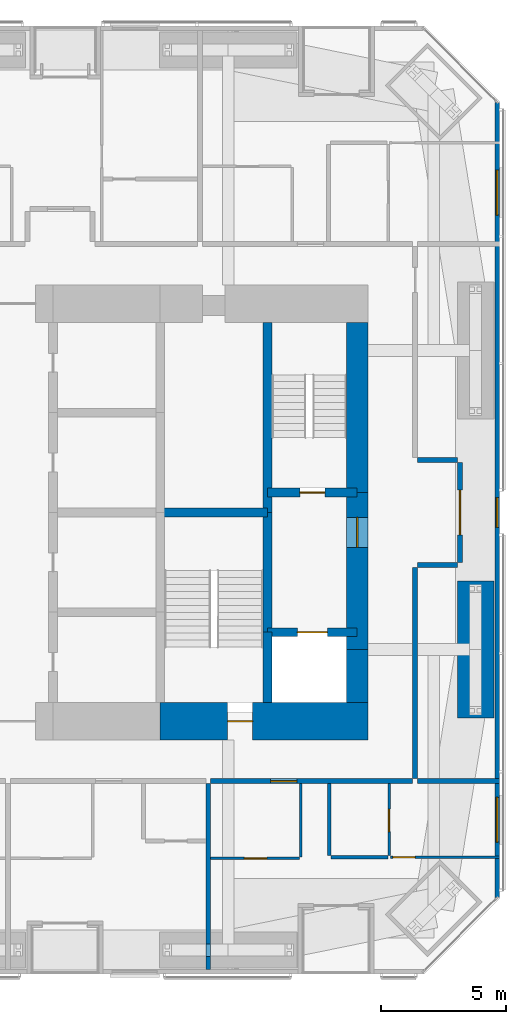
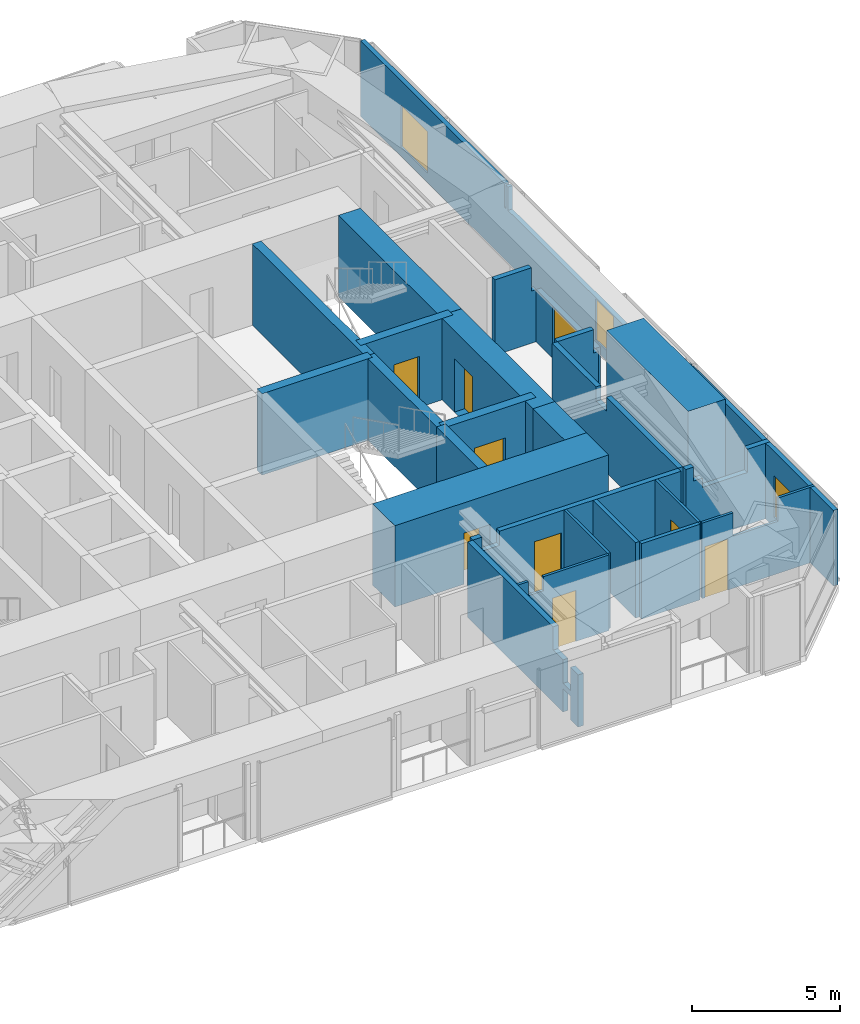
# One storey, part 20 of 23: 25 walls, 9 doors, 3 windows, 12 openings.
"""IFC4 building model written with IfcOpenShell, lengths in metres."""

from ifc_helpers import new_model, si_unit, direction, frame, frame_2d, origin, place, context, subcontext, project, spatial, polyline, rectangle, outline, extrude, material, layer, layer_set, constituent, constituent_set, type_object, element, fill, save


model = new_model("IFC4")

# Units and contexts
model_context = context("Model", 3, precision=1e-05, world=origin(), true_north=direction((0.0, 1.0)))
body_context = subcontext(model_context, "Body", "Model", "MODEL_VIEW")
ifc_project = project(units=[si_unit("LENGTHUNIT", "METRE"), si_unit("AREAUNIT", "SQUARE_METRE"), si_unit("VOLUMEUNIT", "CUBIC_METRE"), si_unit("PLANEANGLEUNIT", "RADIAN"), si_unit("MASSUNIT", "GRAM", prefix="KILO")], contexts=[model_context])

# Site, building, storey
site_placement = place(None, origin())
site = spatial("IfcSite", under=ifc_project, at=site_placement, CompositionType="ELEMENT")
building_placement = place(site_placement, origin())
building = spatial("IfcBuilding", under=site, at=building_placement, Name="Jalousie Tower", CompositionType="ELEMENT")
storey_placement = place(building_placement, frame((0.0, 0.0, 88.10009765625)))
storey = spatial("IfcBuildingStorey", under=building, at=storey_placement, Name="L23", CompositionType="ELEMENT", Elevation=88.10009765625)

# Walls
ifc_material_1 = material(Name="Concrete block ASTM C90", Category="concrete")
ifc_constituent_1 = constituent(ifc_material_1, Name="Body")
ifc_material_2 = material(Name="Render")
ifc_constituent_2 = constituent(ifc_material_2, Name="Finish")
ifc_constituent_set_1 = constituent_set(constituents=[ifc_constituent_1, ifc_constituent_2])
wall_type_1 = type_object("IfcWallType", Name="BATHROOM WALL 150", PredefinedType="PLUMBINGWALL", material=ifc_constituent_set_1)
wall_1_placement = place(storey_placement, frame((42.75, 4.67578125, 0.0), z_axis=(0.0, 0.0, 1.0), x_axis=(1.0, 0.0, 0.0)))
element("IfcWall", 1, at=wall_1_placement, inside=storey, type_object=wall_type_1, Name="Bathroom Wall 150 L23", PredefinedType="PLUMBINGWALL", context=body_context, shape_type="SweptSolid", body=[
    extrude(rectangle(XDim=2.27490234375, YDim=0.14990234375, at=frame_2d((1.137451171875, 0.0))), origin(), (0.0, 0.0, 1.0), 3.10986328125),
])
wall_2_placement = place(storey_placement, frame((42.675048828125, 4.7509765625, 0.0), z_axis=(0.0, 0.0, 1.0), x_axis=(0.0, 1.0, 0.0)))
element("IfcWall", 2, at=wall_2_placement, inside=storey, type_object=wall_type_1, Name="Bathroom Wall 150 L23", PredefinedType="PLUMBINGWALL", context=body_context, shape_type="SweptSolid", body=[
    extrude(rectangle(XDim=2.8740234375, YDim=0.14990234375, at=frame_2d((1.43701171875, 0.0))), origin(), (0.0, 0.0, 1.0), 3.10986328125),
])

# Wall, opening, door
ifc_material_3 = material(Name="Concrete f'c 120 MPa", Category="concrete")
ifc_layer_1 = layer(ifc_material_3, 1.5)
ifc_layer_set_1 = layer_set([ifc_layer_1], Name="Concrete f'c 120 MPa")
wall_type_2 = type_object("IfcWallType", Name="CORE WALL 1500", PredefinedType="SHEAR", material=ifc_layer_set_1)
wall_3_placement = place(storey_placement, frame((35.89990234375, 10.125, 0.0), z_axis=(0.0, 0.0, 1.0), x_axis=(1.0, 0.0, 0.0)))
wall_3 = element("IfcWall", 3, at=wall_3_placement, inside=storey, type_object=wall_type_2, Name="Core wall SD L23", PredefinedType="SHEAR", context=body_context, shape_type="SweptSolid", body=[
    extrude(rectangle(XDim=8.3251953125, YDim=1.5, at=frame_2d((4.16259765625, 0.0))), origin(), (0.0, 0.0, 1.0), 3.349853515625),
])
opening_1_placement = place(wall_3_placement, frame((2.699951171875, 0.0, 0.0)))
opening_1 = element("IfcOpeningElement", 4, at=opening_1_placement, cuts=wall_3, Name="Opening D10", PredefinedType="OPENING", context=body_context, shape_type="SweptSolid", body=[
    extrude(rectangle(XDim=1.0, YDim=2.10009765625, at=frame_2d((0.5, 1.050048828125))), frame((0.0, 0.760009765625, 0.0), z_axis=(0.0, -1.0, 0.0), x_axis=(1.0, 0.0, 0.0)), (0.0, 0.0, 1.0), 1.52001953125),
])
ifc_material_4 = material(Name="Steel fire door", Category="steel")
door_type_1 = type_object("IfcDoorType", Name="STAIR DOOR 1000", OperationType="SINGLE_SWING_LEFT", PredefinedType="DOOR", material=ifc_material_4)
door_1_placement = place(opening_1_placement, origin())
door_1 = element("IfcDoor", 5, at=door_1_placement, inside=storey, type_object=door_type_1, Name="Exit stair C door", OperationType="SINGLE_SWING_RIGHT", OverallHeight=2.10009765625, OverallWidth=1.0, PredefinedType="DOOR", context=body_context, shape_type="SweptSolid", body=[
    extrude(rectangle(XDim=1.0, YDim=2.10009765625, at=frame_2d((0.5, 1.050048828125))), frame((0.0, 0.02490234375, 0.0), z_axis=(0.0, -1.0, 0.0), x_axis=(1.0, 0.0, 0.0)), (0.0, 0.0, 1.0), 0.050048828125),
])
fill(opening_1, door_1)

# Walls
ifc_material_5 = material(Name="Concrete f'c 120 MPa", Category="concrete")
ifc_layer_2 = layer(ifc_material_5, 0.35009765625)
ifc_layer_set_2 = layer_set([ifc_layer_2], Name="Concrete f'c 120 MPa")
wall_type_3 = type_object("IfcWallType", Name="CORE WALL 350", PredefinedType="SHEAR", material=ifc_layer_set_2)
wall_4_placement = place(storey_placement, frame((40.199951171875, 10.875, 0.0), z_axis=(0.0, 0.0, 1.0), x_axis=(0.0, 1.0, 0.0)))
element("IfcWall", 6, at=wall_4_placement, inside=storey, type_object=wall_type_3, Name="Core wall X40.2A L23", PredefinedType="SHEAR", context=body_context, shape_type="SweptSolid", body=[
    extrude(rectangle(XDim=2.824951171875, YDim=0.35009765625, at=frame_2d((1.41259765625, 0.0))), origin(), (0.0, 0.0, 1.0), 3.349853515625),
])
wall_5_placement = place(storey_placement, frame((40.199951171875, 13.699951171875, 0.0), z_axis=(0.0, 0.0, 1.0), x_axis=(0.0, 1.0, 0.0)))
element("IfcWall", 7, at=wall_5_placement, inside=storey, type_object=wall_type_3, Name="Core wall X40.2B L23", PredefinedType="SHEAR", context=body_context, shape_type="SweptSolid", body=[
    extrude(rectangle(XDim=4.800048828125, YDim=0.35009765625, at=frame_2d((2.39990234375, 0.0))), origin(), (0.0, 0.0, 1.0), 3.349853515625),
])
wall_6_placement = place(storey_placement, frame((40.199951171875, 18.5, 0.0), z_axis=(0.0, 0.0, 1.0), x_axis=(0.0, 1.0, 0.0)))
element("IfcWall", 8, at=wall_6_placement, inside=storey, type_object=wall_type_3, Name="Core wall X40.2C L23", PredefinedType="SHEAR", context=body_context, shape_type="SweptSolid", body=[
    extrude(rectangle(XDim=7.625, YDim=0.35009765625, at=frame_2d((3.8125, 0.0))), origin(), (0.0, 0.0, 1.0), 3.349853515625),
])
wall_7_placement = place(storey_placement, frame((35.89990234375, 18.5, 0.0), z_axis=(0.0, 0.0, 1.0), x_axis=(1.0, 0.0, 0.0)))
element("IfcWall", 9, at=wall_7_placement, inside=storey, type_object=wall_type_3, Name="Core wall Y35.9-18.5 L23", PredefinedType="SHEAR", context=body_context, shape_type="SweptSolid", body=[
    extrude(rectangle(XDim=4.300048828125, YDim=0.35009765625, at=frame_2d((2.14990234375, 0.0))), origin(), (0.0, 0.0, 1.0), 3.349853515625),
])

# Wall, opening, door
wall_8_placement = place(storey_placement, frame((40.199951171875, 13.699951171875, 0.0), z_axis=(0.0, 0.0, 1.0), x_axis=(1.0, 0.0, 0.0)))
wall_8 = element("IfcWall", 10, at=wall_8_placement, inside=storey, type_object=wall_type_3, Name="Core wall Y40.2-13.7 L23", PredefinedType="SHEAR", context=body_context, shape_type="SweptSolid", body=[
    extrude(rectangle(XDim=3.60009765625, YDim=0.35009765625, at=frame_2d((1.800048828125, 0.0))), origin(), (0.0, 0.0, 1.0), 3.349853515625),
])
opening_2_placement = place(wall_8_placement, frame((1.199951171875, 0.0, 0.0)))
opening_2 = element("IfcOpeningElement", 11, at=opening_2_placement, cuts=wall_8, Name="Opening LD2", PredefinedType="OPENING", context=body_context, shape_type="SweptSolid", body=[
    extrude(rectangle(XDim=1.199951171875, YDim=2.10009765625, at=frame_2d((0.60009765625, 1.050048828125))), frame((0.0, 0.18505859375, 0.0), z_axis=(0.0, -1.0, 0.0), x_axis=(1.0, 0.0, 0.0)), (0.0, 0.0, 1.0), 0.3701171875),
])
ifc_material_6 = material(Name="Steel lift landing door", Category="steel")
door_type_2 = type_object("IfcDoorType", Name="LIFT LANDING DOOR 1200", OperationType="SLIDING_TO_LEFT", PredefinedType="DOOR", material=ifc_material_6)
door_2_placement = place(opening_2_placement, origin())
door_2 = element("IfcDoor", 12, at=door_2_placement, inside=storey, type_object=door_type_2, Name="Lift F2 landing door", OperationType="SLIDING_TO_LEFT", OverallHeight=2.10009765625, OverallWidth=1.199951171875, PredefinedType="DOOR", context=body_context, shape_type="SweptSolid", body=[
    extrude(rectangle(XDim=1.199951171875, YDim=2.10009765625, at=frame_2d((0.60009765625, 1.050048828125))), frame((0.0, 0.02490234375, 0.0), z_axis=(0.0, -1.0, 0.0), x_axis=(1.0, 0.0, 0.0)), (0.0, 0.0, 1.0), 0.050048828125),
])
fill(opening_2, door_2)

wall_9_placement = place(storey_placement, frame((40.199951171875, 19.300048828125, 0.0), z_axis=(0.0, 0.0, 1.0), x_axis=(1.0, 0.0, 0.0)))
wall_9 = element("IfcWall", 13, at=wall_9_placement, inside=storey, type_object=wall_type_3, Name="Core wall Y40.2-19.3 L23", PredefinedType="SHEAR", context=body_context, shape_type="SweptSolid", body=[
    extrude(rectangle(XDim=3.60009765625, YDim=0.35009765625, at=frame_2d((1.800048828125, 0.0))), origin(), (0.0, 0.0, 1.0), 3.349853515625),
])
opening_3_placement = place(wall_9_placement, frame((1.300048828125, 0.0, 0.0)))
opening_3 = element("IfcOpeningElement", 14, at=opening_3_placement, cuts=wall_9, Name="Opening D10", PredefinedType="OPENING", context=body_context, shape_type="SweptSolid", body=[
    extrude(rectangle(XDim=1.0, YDim=2.10009765625, at=frame_2d((0.5, 1.050048828125))), frame((0.0, 0.18505859375, 0.0), z_axis=(0.0, -1.0, 0.0), x_axis=(1.0, 0.0, 0.0)), (0.0, 0.0, 1.0), 0.3701171875),
])
door_3_placement = place(opening_3_placement, origin())
door_3 = element("IfcDoor", 15, at=door_3_placement, inside=storey, type_object=door_type_1, Name="Exit stair B door", OperationType="SINGLE_SWING_RIGHT", OverallHeight=2.10009765625, OverallWidth=1.0, PredefinedType="DOOR", context=body_context, shape_type="SweptSolid", body=[
    extrude(rectangle(XDim=1.0, YDim=2.10009765625, at=frame_2d((0.5, 1.050048828125))), frame((0.0, 0.02490234375, 0.0), z_axis=(0.0, -1.0, 0.0), x_axis=(1.0, 0.0, 0.0)), (0.0, 0.0, 1.0), 0.050048828125),
])
fill(opening_3, door_3)

# Wall
ifc_material_7 = material(Name="Concrete f'c 120 MPa", Category="concrete")
ifc_layer_3 = layer(ifc_material_7, 0.85009765625)
ifc_layer_set_3 = layer_set([ifc_layer_3], Name="Concrete f'c 120 MPa")
wall_type_4 = type_object("IfcWallType", Name="CORE WALL 850", PredefinedType="SHEAR", material=ifc_layer_set_3)
wall_10_placement = place(storey_placement, frame((43.800048828125, 10.875, 0.0), z_axis=(0.0, 0.0, 1.0), x_axis=(0.0, 1.0, 0.0)))
element("IfcWall", 16, at=wall_10_placement, inside=storey, type_object=wall_type_4, Name="Core wall EA L23", PredefinedType="SHEAR", context=body_context, shape_type="SweptSolid", body=[
    extrude(rectangle(XDim=2.125, YDim=0.85009765625, at=frame_2d((1.0625, 0.0))), origin(), (0.0, 0.0, 1.0), 3.349853515625),
])

# Wall, opening, door
wall_11_placement = place(storey_placement, frame((43.800048828125, 13.0, 0.0), z_axis=(0.0, 0.0, 1.0), x_axis=(0.0, 1.0, 0.0)))
wall_11 = element("IfcWall", 17, at=wall_11_placement, inside=storey, type_object=wall_type_4, Name="Core wall EB L23", PredefinedType="SHEAR", context=body_context, shape_type="SweptSolid", body=[
    extrude(rectangle(XDim=6.300048828125, YDim=0.85009765625, at=frame_2d((3.14990234375, 0.0))), origin(), (0.0, 0.0, 1.0), 3.349853515625),
])
opening_4_placement = place(wall_11_placement, frame((4.10009765625, 0.0, 0.0)))
opening_4 = element("IfcOpeningElement", 18, at=opening_4_placement, cuts=wall_11, Name="Opening D11", PredefinedType="OPENING", context=body_context, shape_type="SweptSolid", body=[
    extrude(rectangle(XDim=1.199951171875, YDim=2.199951171875, at=frame_2d((0.60009765625, 1.10009765625))), frame((0.0, 0.43505859375, 0.0), z_axis=(0.0, -1.0, 0.0), x_axis=(1.0, 0.0, 0.0)), (0.0, 0.0, 1.0), 0.8701171875),
])
ifc_material_8 = material(Name="Steel fire door", Category="steel")
door_type_3 = type_object("IfcDoorType", Name="FIRE DOOR 1200", OperationType="SINGLE_SWING_LEFT", PredefinedType="DOOR", material=ifc_material_8)
door_4_placement = place(opening_4_placement, origin())
door_4 = element("IfcDoor", 19, at=door_4_placement, inside=storey, type_object=door_type_3, Name="Fire-fighting lobby B door", OperationType="SINGLE_SWING_RIGHT", OverallHeight=2.199951171875, OverallWidth=1.199951171875, PredefinedType="DOOR", context=body_context, shape_type="SweptSolid", body=[
    extrude(rectangle(XDim=1.199951171875, YDim=2.199951171875, at=frame_2d((0.60009765625, 1.10009765625))), frame((0.0, 0.02490234375, 0.0), z_axis=(0.0, -1.0, 0.0), x_axis=(1.0, 0.0, 0.0)), (0.0, 0.0, 1.0), 0.050048828125),
])
fill(opening_4, door_4)

# Wall
wall_12_placement = place(storey_placement, frame((43.800048828125, 19.300048828125, 0.0), z_axis=(0.0, 0.0, 1.0), x_axis=(0.0, 1.0, 0.0)))
element("IfcWall", 20, at=wall_12_placement, inside=storey, type_object=wall_type_4, Name="Core wall EC L23", PredefinedType="SHEAR", context=body_context, shape_type="SweptSolid", body=[
    extrude(rectangle(XDim=6.824951171875, YDim=0.85009765625, at=frame_2d((3.41259765625, 0.0))), origin(), (0.0, 0.0, 1.0), 3.349853515625),
])

# Wall, opening, door
ifc_material_9 = material(Name="Concrete block ASTM C90", Category="concrete")
ifc_constituent_3 = constituent(ifc_material_9, Name="Body")
ifc_material_10 = material(Name="Render")
ifc_constituent_4 = constituent(ifc_material_10, Name="Finish")
ifc_constituent_set_2 = constituent_set(constituents=[ifc_constituent_3, ifc_constituent_4])
wall_type_5 = type_object("IfcWallType", Name="CORRIDOR WALL 200", PredefinedType="PARTITIONING", material=ifc_constituent_set_2)
wall_13_placement = place(storey_placement, frame((37.925048828125, 7.72509765625, 0.0), z_axis=(0.0, 0.0, 1.0), x_axis=(1.0, 0.0, 0.0)))
wall_13 = element("IfcWall", 21, at=wall_13_placement, inside=storey, type_object=wall_type_5, Name="Corridor Wall 200 L23", PredefinedType="PARTITIONING", context=body_context, shape_type="SweptSolid", body=[
    extrude(outline(polyline([(0.0, 0.0), (8.099853515625, 0.0), (8.10009765625, 3.10986328125), (1.046142578125, 3.10986328125), (1.046142578125, 2.53076171875), (0.353759765625, 2.53076171875), (0.353759765625, 3.10986328125), (0.0, 3.10986328125), (0.0, 0.0)])), frame((0.0, 0.10009765625, 0.0), z_axis=(0.0, -1.0, 0.0), x_axis=(1.0, 0.0, 0.0)), (0.0, 0.0, 1.0), 0.199951171875),
])
opening_5_placement = place(wall_13_placement, frame((2.39990234375, 0.0, 0.0)))
opening_5 = element("IfcOpeningElement", 22, at=opening_5_placement, cuts=wall_13, Name="Opening D1", PredefinedType="OPENING", context=body_context, shape_type="SweptSolid", body=[
    extrude(rectangle(XDim=1.050048828125, YDim=2.199951171875, at=frame_2d((0.52490234375, 1.10009765625))), frame((0.0, 0.10986328125, 0.0), z_axis=(0.0, -1.0, 0.0), x_axis=(1.0, 0.0, 0.0)), (0.0, 0.0, 1.0), 0.219970703125),
])
ifc_material_11 = material(Name="Timber fire door", Category="wood")
door_type_4 = type_object("IfcDoorType", Name="APARTMENT ENTRANCE DOOR 1050", OperationType="SINGLE_SWING_LEFT", PredefinedType="DOOR", material=ifc_material_11)
door_5_placement = place(opening_5_placement, frame((1.050048828125, 0.0, 0.0), z_axis=(0.0, 0.0, 1.0), x_axis=(-1.0, 0.0, 0.0)))
door_5 = element("IfcDoor", 23, at=door_5_placement, inside=storey, type_object=door_type_4, Name="Apartment 2303 entrance", OperationType="SINGLE_SWING_LEFT", OverallHeight=2.199951171875, OverallWidth=1.050048828125, PredefinedType="DOOR", context=body_context, shape_type="SweptSolid", body=[
    extrude(rectangle(XDim=1.050048828125, YDim=2.199951171875, at=frame_2d((0.52490234375, 1.10009765625))), frame((0.0, 0.02490234375, 0.0), z_axis=(0.0, -1.0, 0.0), x_axis=(1.0, 0.0, 0.0)), (0.0, 0.0, 1.0), 0.050048828125),
])
fill(opening_5, door_5)

# Wall
wall_14_placement = place(storey_placement, frame((46.125, 7.824951171875, 0.0), z_axis=(0.0, 0.0, 1.0), x_axis=(0.0, 1.0, 0.0)))
element("IfcWall", 24, at=wall_14_placement, inside=storey, type_object=wall_type_5, Name="Corridor Wall 200 L23", PredefinedType="PARTITIONING", context=body_context, shape_type="SweptSolid", body=[
    extrude(outline(polyline([(0.0, 0.0), (8.47509765625, 0.0), (8.47509765625, 3.10986328125), (5.521240234375, 3.10986328125), (5.521240234375, 2.53076171875), (4.828857421875, 2.53076171875), (4.828857421875, 3.10986328125), (0.0, 3.10986328125), (0.0, 0.0)])), frame((0.0, 0.10009765625, 0.0), z_axis=(0.0, -1.0, 0.0), x_axis=(1.0, 0.0, 0.0)), (0.0, 0.0, 1.0), 0.199951171875),
])

# Wall, opening, door
wall_15_placement = place(storey_placement, frame((47.925048828125, 16.5, 0.0), z_axis=(0.0, 0.0, 1.0), x_axis=(0.0, 1.0, 0.0)))
wall_15 = element("IfcWall", 25, at=wall_15_placement, inside=storey, type_object=wall_type_5, Name="Corridor Wall 200 L23", PredefinedType="PARTITIONING", context=body_context, shape_type="SweptSolid", body=[
    extrude(outline(polyline([(0.0, 0.0), (4.0, 0.0), (4.0, 3.10986328125), (4.0, 2.14990234375), (0.0, 2.14990234375), (0.0, 3.10986328125), (0.0, 0.0)])), frame((0.0, 0.10009765625, 0.0), z_axis=(0.0, -1.0, 0.0), x_axis=(1.0, 0.0, 0.0)), (0.0, 0.0, 1.0), 0.199951171875),
])
opening_6_placement = place(wall_15_placement, frame((1.10009765625, 0.0, 0.0)))
opening_6 = element("IfcOpeningElement", 26, at=opening_6_placement, cuts=wall_15, Name="Opening D22", PredefinedType="OPENING", context=body_context, shape_type="SweptSolid", body=[
    extrude(rectangle(XDim=1.800048828125, YDim=2.10009765625, at=frame_2d((0.89990234375, 1.050048828125))), frame((0.0, 0.10986328125, 0.0), z_axis=(0.0, -1.0, 0.0), x_axis=(1.0, 0.0, 0.0)), (0.0, 0.0, 1.0), 0.219970703125),
])
ifc_material_12 = material(Name="Timber fire door", Category="wood")
door_type_5 = type_object("IfcDoorType", Name="CORRIDOR DOUBLE DOOR 1800", OperationType="DOUBLE_DOOR_SINGLE_SWING", PredefinedType="DOOR", material=ifc_material_12)
door_6_placement = place(opening_6_placement, frame((1.800048828125, 0.0, 0.0), z_axis=(0.0, 0.0, 1.0), x_axis=(-1.0, 0.0, 0.0)))
door_6 = element("IfcDoor", 27, at=door_6_placement, inside=storey, type_object=door_type_5, Name="Lounge door", OperationType="DOUBLE_DOOR_SINGLE_SWING", OverallHeight=2.10009765625, OverallWidth=1.800048828125, PredefinedType="DOOR", context=body_context, shape_type="SweptSolid", body=[
    extrude(rectangle(XDim=1.800048828125, YDim=2.10009765625, at=frame_2d((0.89990234375, 1.050048828125))), frame((0.0, 0.02490234375, 0.0), z_axis=(0.0, -1.0, 0.0), x_axis=(1.0, 0.0, 0.0)), (0.0, 0.0, 1.0), 0.050048828125),
])
fill(opening_6, door_6)

# Walls
for number, where, z_axis, x_axis, name in (
    (28, (46.22509765625, 16.39990234375, 0.0), (0.0, 0.0, 1.0), (1.0, 0.0, 0.0), "Corridor Wall 200 L23"),
    (29, (46.22509765625, 20.60009765625, 0.0), (0.0, 0.0, 1.0), (1.0, 0.0, 0.0), "Corridor Wall 200 L23"),
):
    element("IfcWall", number, at=place(storey_placement, frame(where, z_axis=z_axis, x_axis=x_axis)), inside=storey, type_object=wall_type_5, Name=name, PredefinedType="PARTITIONING", context=body_context, shape_type="SweptSolid", body=[
        extrude(outline(polyline([(0.0, 0.0), (1.599853515625, 0.0), (1.60009765625, 3.10986328125), (1.60009765625, 2.14990234375), (1.4150390625, 2.14990234375), (1.4150390625, 3.10986328125), (0.0, 3.10986328125), (0.0, 0.0)])), frame((0.0, 0.10009765625, 0.0), z_axis=(0.0, -1.0, 0.0), x_axis=(1.0, 0.0, 0.0)), (0.0, 0.0, 1.0), 0.199951171875),
    ])

# Wall, openings, windows
ifc_material_13 = material(Name="Concrete f'c 40 MPa", Category="concrete")
ifc_constituent_5 = constituent(ifc_material_13, Name="Body")
ifc_material_14 = material(Name="Render, pastel sea green")
ifc_constituent_6 = constituent(ifc_material_14, Name="Finish")
ifc_constituent_set_3 = constituent_set(constituents=[ifc_constituent_5, ifc_constituent_6])
wall_type_6 = type_object("IfcWallType", Name="EXTERNAL WALL 175 SEA GREEN RENDER", PredefinedType="SOLIDWALL", material=ifc_constituent_set_3)
wall_16_placement = place(storey_placement, frame((49.41259765625, 3.05126953125, 0.0), z_axis=(0.0, 0.0, 1.0), x_axis=(0.0, 1.0, 0.0)))
wall_16 = element("IfcWall", 30, at=wall_16_placement, inside=storey, type_object=wall_type_6, Name="External Wall 175 Sea Green Render L23", PredefinedType="SOLIDWALL", context=body_context, shape_type="SweptSolid", body=[
    extrude(outline(polyline([(0.0, 0.0), (31.8974609375, 0.0), (31.8974609375, 3.10986328125), (22.167236328125, 3.10986328125), (22.167236328125, 2.14990234375), (22.074462890625, 2.14990234375), (22.074462890625, 3.10986328125), (21.94873046875, 3.10986328125), (21.94873046875, 2.14990234375), (9.94873046875, 2.14990234375), (9.94873046875, 3.10986328125), (9.822998046875, 3.10986328125), (9.822998046875, 2.14990234375), (9.72998046875, 2.14990234375), (9.72998046875, 3.10986328125), (0.0, 3.10986328125), (0.0, 0.0)])), frame((0.0, 0.08740234375, 0.0), z_axis=(0.0, -1.0, 0.0), x_axis=(1.0, 0.0, 0.0)), (0.0, 0.0, 1.0), 0.175048828125),
])
opening_7_placement = place(wall_16_placement, frame((2.22412109375, 0.0, 0.39990234375)))
opening_7 = element("IfcOpeningElement", 31, at=opening_7_placement, cuts=wall_16, Name="Opening W-BED170", PredefinedType="OPENING", context=body_context, shape_type="SweptSolid", body=[
    extrude(rectangle(XDim=1.800048828125, YDim=1.699951171875, at=frame_2d((0.89990234375, 0.85009765625))), frame((0.0, 0.097412109375, 0.0), z_axis=(0.0, -1.0, 0.0), x_axis=(1.0, 0.0, 0.0)), (0.0, 0.0, 1.0), 0.195068359375),
])
opening_8_placement = place(wall_16_placement, frame((14.8486328125, 0.0, 0.39990234375)))
opening_8 = element("IfcOpeningElement", 32, at=opening_8_placement, cuts=wall_16, Name="Opening W-COR170", PredefinedType="OPENING", context=body_context, shape_type="SweptSolid", body=[
    extrude(rectangle(XDim=1.199951171875, YDim=1.699951171875, at=frame_2d((0.60009765625, 0.85009765625))), frame((0.0, 0.097412109375, 0.0), z_axis=(0.0, -1.0, 0.0), x_axis=(1.0, 0.0, 0.0)), (0.0, 0.0, 1.0), 0.195068359375),
])
opening_9_placement = place(wall_16_placement, frame((27.373291015625, 0.0, 0.39990234375)))
opening_9 = element("IfcOpeningElement", 33, at=opening_9_placement, cuts=wall_16, Name="Opening W-BED170", PredefinedType="OPENING", context=body_context, shape_type="SweptSolid", body=[
    extrude(rectangle(XDim=1.800048828125, YDim=1.699951171875, at=frame_2d((0.89990234375, 0.85009765625))), frame((0.0, 0.097412109375, 0.0), z_axis=(0.0, -1.0, 0.0), x_axis=(1.0, 0.0, 0.0)), (0.0, 0.0, 1.0), 0.195068359375),
])
ifc_material_15 = material(Name="Aluminium frame, impact-rated glazing", Category="aluminium")
window_type_1 = type_object("IfcWindowType", Name="WINDOW BED 1800x1700", PartitioningType="SINGLE_PANEL", PredefinedType="WINDOW", material=ifc_material_15)
window_1_placement = place(opening_7_placement, origin())
window_1 = element("IfcWindow", 34, at=window_1_placement, inside=storey, type_object=window_type_1, Name="Apartment 2303 bedroom 1 window", OverallHeight=1.699951171875, OverallWidth=1.800048828125, PartitioningType="SINGLE_PANEL", PredefinedType="WINDOW", context=body_context, shape_type="SweptSolid", body=[
    extrude(rectangle(XDim=1.800048828125, YDim=1.699951171875, at=frame_2d((0.89990234375, 0.85009765625))), frame((0.0, 0.030029296875, 0.0), z_axis=(0.0, -1.0, 0.0), x_axis=(1.0, 0.0, 0.0)), (0.0, 0.0, 1.0), 0.06005859375),
])
fill(opening_7, window_1)
window_2_placement = place(opening_9_placement, origin())
window_2 = element("IfcWindow", 35, at=window_2_placement, inside=storey, type_object=window_type_1, Name="Apartment 2306 bedroom 1 window", OverallHeight=1.699951171875, OverallWidth=1.800048828125, PartitioningType="SINGLE_PANEL", PredefinedType="WINDOW", context=body_context, shape_type="SweptSolid", body=[
    extrude(rectangle(XDim=1.800048828125, YDim=1.699951171875, at=frame_2d((0.89990234375, 0.85009765625))), frame((0.0, 0.030029296875, 0.0), z_axis=(0.0, -1.0, 0.0), x_axis=(1.0, 0.0, 0.0)), (0.0, 0.0, 1.0), 0.06005859375),
])
fill(opening_9, window_2)
ifc_material_16 = material(Name="Aluminium frame, impact-rated glazing", Category="aluminium")
window_type_2 = type_object("IfcWindowType", Name="WINDOW COR 1200x1700", PartitioningType="SINGLE_PANEL", PredefinedType="WINDOW", material=ifc_material_16)
window_3_placement = place(opening_8_placement, origin())
window_3 = element("IfcWindow", 36, at=window_3_placement, inside=storey, type_object=window_type_2, Name="Residents' lounge window", OverallHeight=1.699951171875, OverallWidth=1.199951171875, PartitioningType="SINGLE_PANEL", PredefinedType="WINDOW", context=body_context, shape_type="SweptSolid", body=[
    extrude(rectangle(XDim=1.199951171875, YDim=1.699951171875, at=frame_2d((0.60009765625, 0.85009765625))), frame((0.0, 0.030029296875, 0.0), z_axis=(0.0, -1.0, 0.0), x_axis=(1.0, 0.0, 0.0)), (0.0, 0.0, 1.0), 0.06005859375),
])
fill(opening_8, window_3)

# Wall, opening, door
ifc_material_17 = material(Name="Gypsum board", Category="gypsum")
ifc_constituent_7 = constituent(ifc_material_17, Name="Body")
ifc_material_18 = material(Name="Light-gauge steel studs ASTM A653 SS Grade 33", Category="steel")
ifc_constituent_8 = constituent(ifc_material_18, Name="Framing")
ifc_constituent_set_4 = constituent_set(constituents=[ifc_constituent_7, ifc_constituent_8])
wall_type_7 = type_object("IfcWallType", Name="PARTITION 100", PredefinedType="PARTITIONING", material=ifc_constituent_set_4)
wall_17_placement = place(storey_placement, frame((45.074951171875, 4.7509765625, 0.0), z_axis=(0.0, 0.0, 1.0), x_axis=(0.0, 1.0, 0.0)))
wall_17 = element("IfcWall", 37, at=wall_17_placement, inside=storey, type_object=wall_type_7, Name="Partition 100 L23", PredefinedType="PARTITIONING", context=body_context, shape_type="SweptSolid", body=[
    extrude(rectangle(XDim=2.8740234375, YDim=0.10009765625, at=frame_2d((1.43701171875, 0.0))), origin(), (0.0, 0.0, 1.0), 3.10986328125),
])
opening_10_placement = place(wall_17_placement, frame((0.949462890625, 0.0, 0.0)))
opening_10 = element("IfcOpeningElement", 38, at=opening_10_placement, cuts=wall_17, Name="Opening D3", PredefinedType="OPENING", context=body_context, shape_type="SweptSolid", body=[
    extrude(rectangle(XDim=0.89990234375, YDim=2.10009765625, at=frame_2d((0.449951171875, 1.050048828125))), frame((0.0, 0.06005859375, 0.0), z_axis=(0.0, -1.0, 0.0), x_axis=(1.0, 0.0, 0.0)), (0.0, 0.0, 1.0), 0.1201171875),
])
ifc_material_19 = material(Name="Timber door", Category="wood")
door_type_6 = type_object("IfcDoorType", Name="BATHROOM DOOR 900", OperationType="SINGLE_SWING_LEFT", PredefinedType="DOOR", material=ifc_material_19)
door_7_placement = place(opening_10_placement, origin())
door_7 = element("IfcDoor", 39, at=door_7_placement, inside=storey, type_object=door_type_6, Name="Apartment 2303 bedroom 1 bathroom door", OperationType="SINGLE_SWING_LEFT", OverallHeight=2.10009765625, OverallWidth=0.89990234375, PredefinedType="DOOR", context=body_context, shape_type="SweptSolid", body=[
    extrude(rectangle(XDim=0.89990234375, YDim=2.10009765625, at=frame_2d((0.449951171875, 1.050048828125))), frame((0.0, 0.02490234375, 0.0), z_axis=(0.0, -1.0, 0.0), x_axis=(1.0, 0.0, 0.0)), (0.0, 0.0, 1.0), 0.050048828125),
])
fill(opening_10, door_7)

wall_18_placement = place(storey_placement, frame((45.125, 4.67578125, 0.0), z_axis=(0.0, 0.0, 1.0), x_axis=(1.0, 0.0, 0.0)))
wall_18 = element("IfcWall", 40, at=wall_18_placement, inside=storey, type_object=wall_type_7, Name="Partition 100 L23", PredefinedType="PARTITIONING", context=body_context, shape_type="SweptSolid", body=[
    extrude(outline(polyline([(0.0, 0.0), (4.375, 0.0), (4.375, 3.10986328125), (2.9462890625, 3.10986328125), (2.9462890625, 2.14990234375), (1.203857421875, 2.14990234375), (1.203857421875, 3.10986328125), (0.0, 3.10986328125), (0.0, 0.0)])), frame((0.0, 0.050048828125, 0.0), z_axis=(0.0, -1.0, 0.0), x_axis=(1.0, 0.0, 0.0)), (0.0, 0.0, 1.0), 0.10009765625),
])
opening_11_placement = place(wall_18_placement, frame((0.10009765625, 0.0, 0.0)))
opening_11 = element("IfcOpeningElement", 41, at=opening_11_placement, cuts=wall_18, Name="Opening D2", PredefinedType="OPENING", context=body_context, shape_type="SweptSolid", body=[
    extrude(rectangle(XDim=0.89990234375, YDim=2.10009765625, at=frame_2d((0.449951171875, 1.050048828125))), frame((0.0, 0.06005859375, 0.0), z_axis=(0.0, -1.0, 0.0), x_axis=(1.0, 0.0, 0.0)), (0.0, 0.0, 1.0), 0.1201171875),
])
ifc_material_20 = material(Name="Timber door", Category="wood")
door_type_7 = type_object("IfcDoorType", Name="BEDROOM DOOR 900", OperationType="SINGLE_SWING_LEFT", PredefinedType="DOOR", material=ifc_material_20)
door_8_placement = place(opening_11_placement, origin())
door_8 = element("IfcDoor", 42, at=door_8_placement, inside=storey, type_object=door_type_7, Name="Apartment 2303 bedroom 1 door", OperationType="SINGLE_SWING_LEFT", OverallHeight=2.10009765625, OverallWidth=0.89990234375, PredefinedType="DOOR", context=body_context, shape_type="SweptSolid", body=[
    extrude(rectangle(XDim=0.89990234375, YDim=2.10009765625, at=frame_2d((0.449951171875, 1.050048828125))), frame((0.0, 0.02490234375, 0.0), z_axis=(0.0, -1.0, 0.0), x_axis=(1.0, 0.0, 0.0)), (0.0, 0.0, 1.0), 0.050048828125),
])
fill(opening_11, door_8)

wall_19_placement = place(storey_placement, frame((37.925048828125, 4.625, 0.0), z_axis=(0.0, 0.0, 1.0), x_axis=(1.0, 0.0, 0.0)))
wall_19 = element("IfcWall", 43, at=wall_19_placement, inside=storey, type_object=wall_type_7, Name="Partition 100 L23", PredefinedType="PARTITIONING", context=body_context, shape_type="SweptSolid", body=[
    extrude(outline(polyline([(0.0, 0.0), (3.550048828125, 0.0), (3.550048828125, 3.10986328125), (0.99609375, 3.10986328125), (0.99609375, 2.53076171875), (0.40380859375, 2.53076171875), (0.40380859375, 3.10986328125), (0.0, 3.10986328125), (0.0, 0.0)])), frame((0.0, 0.050048828125, 0.0), z_axis=(0.0, -1.0, 0.0), x_axis=(1.0, 0.0, 0.0)), (0.0, 0.0, 1.0), 0.10009765625),
])
opening_12_placement = place(wall_19_placement, frame((1.35009765625, 0.0, 0.0)))
opening_12 = element("IfcOpeningElement", 44, at=opening_12_placement, cuts=wall_19, Name="Opening D7", PredefinedType="OPENING", context=body_context, shape_type="SweptSolid", body=[
    extrude(rectangle(XDim=0.89990234375, YDim=2.10009765625, at=frame_2d((0.449951171875, 1.050048828125))), frame((0.0, 0.06005859375, 0.0), z_axis=(0.0, -1.0, 0.0), x_axis=(1.0, 0.0, 0.0)), (0.0, 0.0, 1.0), 0.1201171875),
])
ifc_material_21 = material(Name="Timber door", Category="wood")
door_type_8 = type_object("IfcDoorType", Name="INTERNAL DOOR 900", OperationType="SINGLE_SWING_LEFT", PredefinedType="DOOR", material=ifc_material_21)
door_9_placement = place(opening_12_placement, frame((0.89990234375, 0.0, 0.0), z_axis=(0.0, 0.0, 1.0), x_axis=(-1.0, 0.0, 0.0)))
door_9 = element("IfcDoor", 45, at=door_9_placement, inside=storey, type_object=door_type_8, Name="Apartment 2303 kitchen door", OperationType="SINGLE_SWING_RIGHT", OverallHeight=2.10009765625, OverallWidth=0.89990234375, PredefinedType="DOOR", context=body_context, shape_type="SweptSolid", body=[
    extrude(rectangle(XDim=0.89990234375, YDim=2.10009765625, at=frame_2d((0.449951171875, 1.050048828125))), frame((0.0, 0.02490234375, 0.0), z_axis=(0.0, -1.0, 0.0), x_axis=(1.0, 0.0, 0.0)), (0.0, 0.0, 1.0), 0.050048828125),
])
fill(opening_12, door_9)

# Walls
wall_20_placement = place(storey_placement, frame((41.52490234375, 4.675048828125, 0.0), z_axis=(0.0, 0.0, 1.0), x_axis=(0.0, 1.0, 0.0)))
element("IfcWall", 46, at=wall_20_placement, inside=storey, type_object=wall_type_7, Name="Partition 100 L23", PredefinedType="PARTITIONING", context=body_context, shape_type="SweptSolid", body=[
    extrude(rectangle(XDim=2.949951171875, YDim=0.10009765625, at=frame_2d((1.47509765625, 0.0))), origin(), (0.0, 0.0, 1.0), 3.10986328125),
])
ifc_material_22 = material(Name="Concrete block ASTM C90", Category="concrete")
ifc_constituent_9 = constituent(ifc_material_22, Name="Body")
ifc_material_23 = material(Name="Render")
ifc_constituent_10 = constituent(ifc_material_23, Name="Finish")
ifc_constituent_set_5 = constituent_set(constituents=[ifc_constituent_9, ifc_constituent_10])
wall_type_8 = type_object("IfcWallType", Name="PARTY WALL 200", PredefinedType="PARTITIONING", material=ifc_constituent_set_5)
wall_21_placement = place(storey_placement, frame((37.824951171875, 0.175048828125, 0.0), z_axis=(0.0, 0.0, 1.0), x_axis=(0.0, 1.0, 0.0)))
element("IfcWall", 47, at=wall_21_placement, inside=storey, type_object=wall_type_8, Name="Party Wall 200 L23", PredefinedType="PARTITIONING", context=body_context, shape_type="SweptSolid", body=[
    extrude(outline(polyline([(0.526123046875, 2.14990234375), (0.0, 2.14990234375), (0.0, 0.0), (0.526123046875, 0.0), (0.526123046875, 0.969482421875), (1.023681640625, 0.969482421875), (1.023681640625, 0.0), (7.449951171875, 0.0), (7.449951171875, 3.10986328125), (1.68505859375, 3.10986328125), (1.68505859375, 2.14990234375), (1.023681640625, 2.14990234375), (1.023681640625, 1.180419921875), (0.526123046875, 1.180419921875), (0.526123046875, 2.14990234375)])), frame((0.0, 0.10009765625, 0.0), z_axis=(0.0, -1.0, 0.0), x_axis=(1.0, 0.0, 0.0)), (0.0, 0.0, 1.0), 0.199951171875),
])
wall_22_placement = place(storey_placement, frame((46.22509765625, 7.72509765625, 0.0), z_axis=(0.0, 0.0, 1.0), x_axis=(1.0, 0.0, 0.0)))
element("IfcWall", 48, at=wall_22_placement, inside=storey, type_object=wall_type_8, Name="Party Wall 200 L23", PredefinedType="PARTITIONING", context=body_context, shape_type="SweptSolid", body=[
    extrude(outline(polyline([(0.0, 0.0), (3.27490234375, 0.0), (3.27490234375, 3.10986328125), (2.3916015625, 3.10986328125), (2.3916015625, 2.14990234375), (0.642822265625, 2.14990234375), (0.642822265625, 2.53076171875), (0.29736328125, 2.53076171875), (0.29736328125, 3.10986328125), (0.0, 3.10986328125), (0.0, 0.0)])), frame((0.0, 0.10009765625, 0.0), z_axis=(0.0, -1.0, 0.0), x_axis=(1.0, 0.0, 0.0)), (0.0, 0.0, 1.0), 0.199951171875),
])
ifc_material_24 = material(Name="Concrete f'c 120 MPa", Category="concrete")
ifc_layer_4 = layer(ifc_material_24, 1.449951171875)
ifc_layer_set_4 = layer_set([ifc_layer_4], Name="Concrete f'c 120 MPa")
wall_type_9 = type_object("IfcWallType", Name="RC WALL PIER 1450", PredefinedType="SHEAR", material=ifc_layer_set_4)
wall_23_placement = place(storey_placement, frame((48.550048828125, 10.25, 0.0), z_axis=(0.0, 0.0, 1.0), x_axis=(0.0, 1.0, 0.0)))
element("IfcWall", 49, at=wall_23_placement, inside=storey, type_object=wall_type_9, Name="Wall pier 06 L23", PredefinedType="SHEAR", context=body_context, shape_type="SweptSolid", body=[
    extrude(rectangle(XDim=5.5, YDim=1.449951171875, at=frame_2d((2.75, 0.0))), origin(), (0.0, 0.0, 1.0), 3.349853515625),
])

save(model, "model.ifc")
